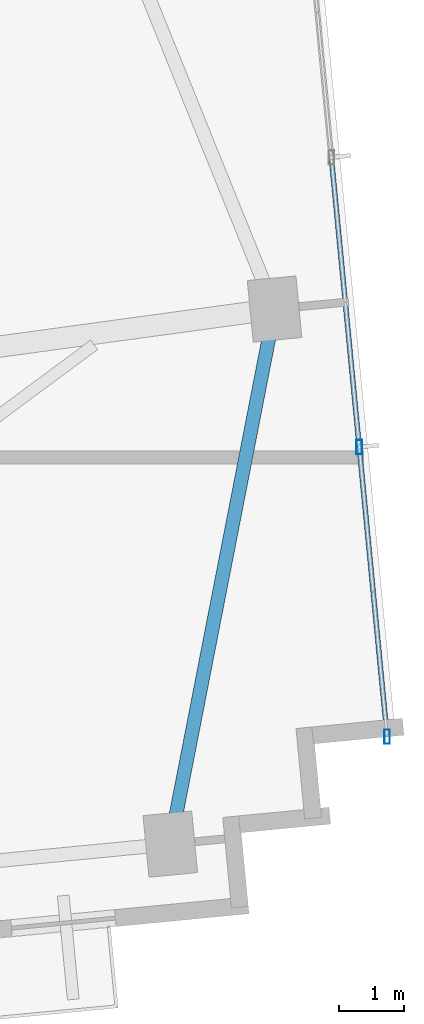
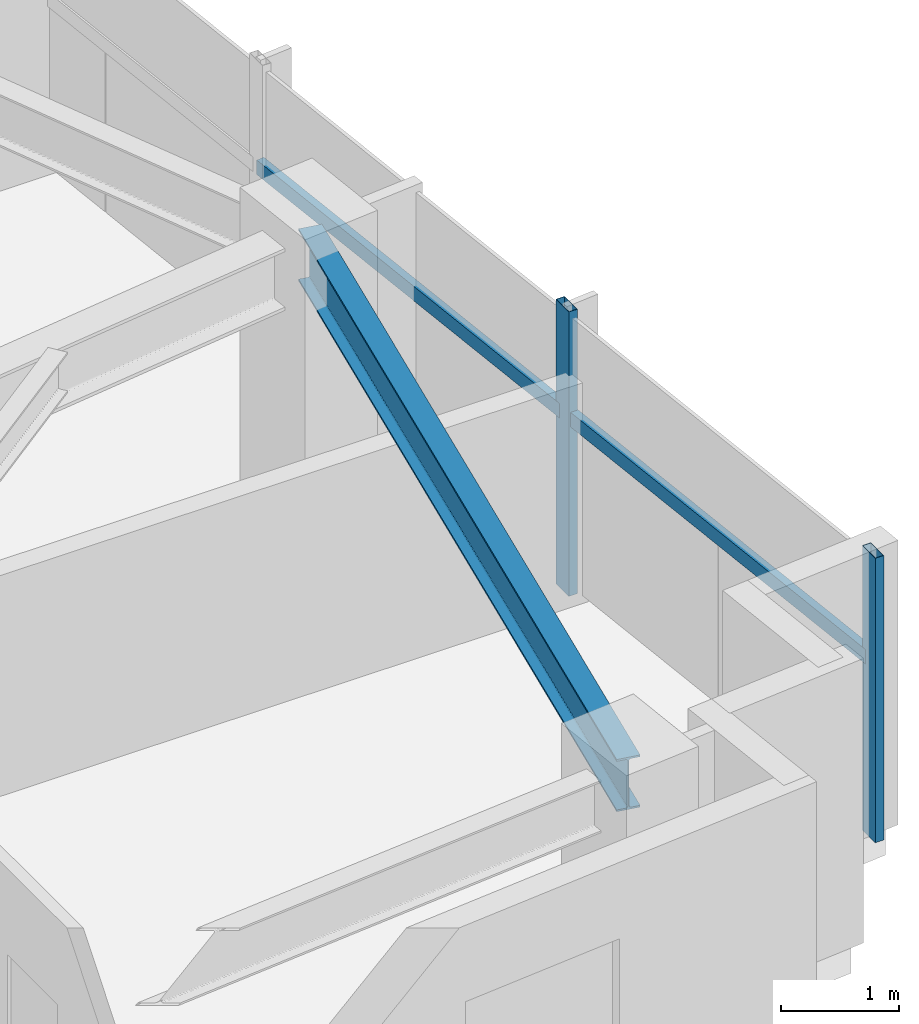
# One storey, part 10 of 18: 4 members, 1 beam, 1 element without a shape of its own.
"""IFC4 building model written with IfcOpenShell, lengths in metres."""

import ifcopenshell
import ifcopenshell.guid

model = None  # the IFC model being written
_history = None  # IfcOwnerHistory: only IFC2X3 demands one
_inside = {}  # id of a spatial element -> (the spatial element, [elements in it])
_under = {}  # id of a project, library or spatial element -> (it, [spatial elements below it])
_declared = {}  # id of a project -> (the project, [libraries it declares])
_typed = {}  # id of a type object -> (the type object, [elements of that type])
_made_of = {}  # id of a material, layer set ... -> (it, [elements and type objects made of it])


def new_model(schema):
    """Start an empty IFC model of exactly this schema.

    Asked for "IFC4X3", IfcOpenShell would pick the latest addendum, in which some entities
    have other attributes; the version numbers below select the first issue.
    IFC2X3 requires an IfcOwnerHistory on every rooted entity: one is made here for all.
    """
    global model, _history
    if schema == "IFC4X3":
        model = ifcopenshell.file(schema_version=(4, 3, 0, 0))
    else:
        model = ifcopenshell.file(schema=schema)
    _inside.clear()
    _under.clear()
    _declared.clear()
    _typed.clear()
    _made_of.clear()
    _history = None
    if model.schema == "IFC2X3":
        org = make("IfcOrganization", Name="unknown")
        user = make(
            "IfcPersonAndOrganization",
            ThePerson=make("IfcPerson", FamilyName="unknown"),
            TheOrganization=org,
        )
        app = make(
            "IfcApplication",
            ApplicationDeveloper=org,
            Version="unknown",
            ApplicationFullName="unknown",
            ApplicationIdentifier="unknown",
        )
        _history = make(
            "IfcOwnerHistory",
            OwningUser=user,
            OwningApplication=app,
            ChangeAction="ADDED",
            CreationDate=0,
        )
    return model


def make(cls, **values):
    """One entity of the class cls with the attributes given. An attribute that is None is left unset."""
    return model.create_entity(
        cls, **{name: value for name, value in values.items() if value is not None}
    )


def rooted(cls, **values):
    """An entity with a GlobalId (a new one), such as an element, a storey or a relation."""
    return make(cls, GlobalId=ifcopenshell.guid.new(), OwnerHistory=_history, **values)


def si_unit(unit_type, name, prefix=None):
    """IfcSIUnit, for example si_unit("LENGTHUNIT", "METRE", prefix="MILLI")."""
    return make("IfcSIUnit", UnitType=unit_type, Prefix=prefix, Name=name)


def assignment(units):
    """IfcUnitAssignment: the units of a project."""
    return None if units is None else make("IfcUnitAssignment", Units=units)


def point(xyz):
    """IfcCartesianPoint."""
    return None if xyz is None else make("IfcCartesianPoint", Coordinates=xyz)


def direction(xyz):
    """IfcDirection."""
    return None if xyz is None else make("IfcDirection", DirectionRatios=xyz)


def frame(location, z_axis=None, x_axis=None):
    """IfcAxis2Placement3D, a coordinate frame: its origin and axes. An axis left out is left unset."""
    return make(
        "IfcAxis2Placement3D",
        Location=point(location),
        Axis=direction(z_axis),
        RefDirection=direction(x_axis),
    )


def frame_2d(location, x_axis=None):
    """IfcAxis2Placement2D, a coordinate frame in the plane: its origin and x axis."""
    return make(
        "IfcAxis2Placement2D", Location=point(location), RefDirection=direction(x_axis)
    )


def origin():
    """The frame at (0, 0, 0) with its axes left unset."""
    return frame((0.0, 0.0, 0.0))


def origin_2d():
    """The frame at (0, 0) in the plane with its x axis left unset."""
    return frame_2d((0.0, 0.0))


def place(relative_to, where):
    """IfcLocalPlacement: puts the frame where relative to a parent placement (None: the world)."""
    return make(
        "IfcLocalPlacement", PlacementRelTo=relative_to, RelativePlacement=where
    )


def context(
    kind, dimensions, precision=None, world=None, true_north=None, identifier=None
):
    """IfcGeometricRepresentationContext, for example the 3D "Model" context."""
    return make(
        "IfcGeometricRepresentationContext",
        ContextIdentifier=identifier,
        ContextType=kind,
        CoordinateSpaceDimension=dimensions,
        Precision=precision,
        WorldCoordinateSystem=world,
        TrueNorth=true_north,
    )


def subcontext(parent, identifier, kind, view, scale=None):
    """IfcGeometricRepresentationSubContext, for example "Body" below "Model"."""
    return make(
        "IfcGeometricRepresentationSubContext",
        ContextIdentifier=identifier,
        ContextType=kind,
        ParentContext=parent,
        TargetScale=scale,
        TargetView=view,
    )


def project(units=None, contexts=None):
    """IfcProject with its units and contexts."""
    return rooted(
        "IfcProject",
        Name="project",
        RepresentationContexts=contexts,
        UnitsInContext=assignment(units),
    )


def spatial(cls, under=None, at=None, **own):
    """A site, building, storey or space (cls), placed at a placement, below another one or the project."""
    s = rooted(cls, ObjectPlacement=at, **own)
    if under is not None:
        _under.setdefault(under.id(), (under, []))[1].append(s)
    return s


def profile(cls, at=None, kind="AREA", **sizes):
    """A parametric profile (cls). Its sizes go by their IFC names, for example OverallWidth=200.0."""
    return make(cls, ProfileType=kind, Position=at, **sizes)


def hollow_rectangle(**sizes):
    """IfcRectangleHollowProfileDef."""
    return profile("IfcRectangleHollowProfileDef", **sizes)


def i_section(**sizes):
    """IfcIShapeProfileDef."""
    return profile("IfcIShapeProfileDef", **sizes)


def extrude(swept, where, along, depth):
    """IfcExtrudedAreaSolid: the profile swept, set in the frame where, extruded along a direction by depth."""
    return make(
        "IfcExtrudedAreaSolid",
        SweptArea=swept,
        Position=where,
        ExtrudedDirection=direction(along),
        Depth=depth,
    )


def shape(context_of_items, identifier, shape_type, items):
    """IfcShapeRepresentation: the items that make up one representation, for example the "Body"."""
    return make(
        "IfcShapeRepresentation",
        ContextOfItems=context_of_items,
        RepresentationIdentifier=identifier,
        RepresentationType=shape_type,
        Items=items,
    )


def source(mapping_origin, context_of_items, identifier, shape_type, items):
    """IfcRepresentationMap: a shape defined once, which mapped items show again and again."""
    return make(
        "IfcRepresentationMap",
        MappingOrigin=mapping_origin,
        MappedRepresentation=shape(context_of_items, identifier, shape_type, items),
    )


def transform(
    local_origin,
    x_axis=None,
    y_axis=None,
    z_axis=None,
    scale=None,
    scale2=None,
    scale3=None,
    uniform=True,
):
    """IfcCartesianTransformationOperator3D, or its non-uniform kind. x_axis, y_axis, z_axis: its Axis1, 2, 3."""
    if uniform:
        return make(
            "IfcCartesianTransformationOperator3D",
            Axis1=direction(x_axis),
            Axis2=direction(y_axis),
            LocalOrigin=point(local_origin),
            Scale=scale,
            Axis3=direction(z_axis),
        )
    return make(
        "IfcCartesianTransformationOperator3DnonUniform",
        Axis1=direction(x_axis),
        Axis2=direction(y_axis),
        LocalOrigin=point(local_origin),
        Scale=scale,
        Axis3=direction(z_axis),
        Scale2=scale2,
        Scale3=scale3,
    )


def mapped(mapping_source, mapping_target):
    """IfcMappedItem: shows the shape of a source again, moved by a transform."""
    return make(
        "IfcMappedItem", MappingSource=mapping_source, MappingTarget=mapping_target
    )


def material(Name=None, Category=None):
    """IfcMaterial."""
    return make("IfcMaterial", Name=Name, Category=Category)


def material_profile(
    of_material, cross_section, Name=None, Category=None, Priority=None
):
    """IfcMaterialProfile: a cross section and its material."""
    return make(
        "IfcMaterialProfile",
        Name=Name,
        Material=of_material,
        Profile=cross_section,
        Priority=Priority,
        Category=Category,
    )


def profile_set(profiles, Name=None, composite=None):
    """IfcMaterialProfileSet."""
    return make(
        "IfcMaterialProfileSet",
        Name=Name,
        MaterialProfiles=profiles,
        CompositeProfile=composite,
    )


def made_of(thing, what):
    """Note that an element or type object is made of a material, layer set ...; save() writes the relation."""
    if what is not None:
        _made_of.setdefault(what.id(), (what, []))[1].append(thing)
    return thing


def type_object(cls, material=None, **own):
    """A type object (cls), such as IfcWallType, which elements share."""
    return made_of(rooted(cls, **own), material)


def type_shapes(of_type, sources):
    """Give a type object the sources (RepresentationMaps) that its elements show as mapped items."""
    of_type.RepresentationMaps = sources


def element(
    cls,
    number,
    at=None,
    inside=None,
    cuts=None,
    type_object=None,
    material=None,
    context=None,
    identifier="Body",
    shape_type=None,
    held_by="IfcProductDefinitionShape",
    body=None,
    shapes=None,
    **own,
):
    """One element of the class cls, such as IfcWall. Its Tag is "e" and its number.

    at: its placement. inside: the storey or other place that contains it. cuts: it is an
    opening in that element (IfcRelVoidsElement). A single representation is given by context,
    identifier, shape_type and body (its items); several are given by shapes. held_by: the class
    of the entity that holds the representations. save() writes the other relations.
    """
    e = rooted(cls, Tag="e%d" % number, ObjectPlacement=at, **own)
    if body is not None:
        shapes = [shape(context, identifier, shape_type, body)]
    if shapes is not None:
        e.Representation = make(held_by, Representations=shapes)
    if inside is not None:
        _inside.setdefault(inside.id(), (inside, []))[1].append(e)
    if cuts is not None:
        rooted(
            "IfcRelVoidsElement", RelatingBuildingElement=cuts, RelatedOpeningElement=e
        )
    if type_object is not None:
        _typed.setdefault(type_object.id(), (type_object, []))[1].append(e)
    return made_of(e, material)


def aggregate(whole, parts):
    """IfcRelAggregates: a whole, such as a stair, and the parts it consists of."""
    return rooted("IfcRelAggregates", RelatingObject=whole, RelatedObjects=parts)


def save(model, path):
    """Write the relations noted so far, then the file.

    IfcRelAggregates (storeys below a building ...), IfcRelContainedInSpatialStructure (elements
    in a storey), IfcRelDefinesByType, IfcRelAssociatesMaterial and IfcRelDeclares: one each for
    every whole, place, type object, material and project.
    """
    for whole, parts in _under.values():
        aggregate(whole, parts)
    for where, things in _inside.values():
        rooted(
            "IfcRelContainedInSpatialStructure",
            RelatedElements=things,
            RelatingStructure=where,
        )
    for kind, things in _typed.values():
        rooted("IfcRelDefinesByType", RelatedObjects=things, RelatingType=kind)
    for what, things in _made_of.values():
        rooted("IfcRelAssociatesMaterial", RelatedObjects=things, RelatingMaterial=what)
    for by, libraries in _declared.values():
        rooted("IfcRelDeclares", RelatingContext=by, RelatedDefinitions=libraries)
    model.write(path)


model = new_model("IFC4")

# Units and contexts
model_context = context("Model", 3, precision=1e-05, world=origin(), true_north=direction((0.0, 1.0)))
body_context = subcontext(model_context, "Body", "Model", "MODEL_VIEW")
ifc_project = project(units=[si_unit("LENGTHUNIT", "METRE"), si_unit("AREAUNIT", "SQUARE_METRE"), si_unit("VOLUMEUNIT", "CUBIC_METRE"), si_unit("PLANEANGLEUNIT", "RADIAN"), si_unit("MASSUNIT", "GRAM", prefix="KILO")], contexts=[model_context])

# Site, building, storey
site_placement = place(None, origin())
site = spatial("IfcSite", under=ifc_project, at=site_placement, CompositionType="ELEMENT")
building_placement = place(site_placement, origin())
building = spatial("IfcBuilding", under=site, at=building_placement, Name="Astriad Promenade Condominiums", CompositionType="ELEMENT")
storey_placement = place(building_placement, frame((0.0, 0.0, 185.800048828125)))
storey = spatial("IfcBuildingStorey", under=building, at=storey_placement, Name="L53", CompositionType="ELEMENT", Elevation=185.800048828125)

# Beam
ifc_material_1 = material(Name="Steel ASTM A992 Grade 50", Category="steel")
ifc_material_profile_1 = material_profile(ifc_material_1, i_section(OverallWidth=0.210693359375, OverallDepth=0.53955078125, WebThickness=0.01171875, FlangeThickness=0.018798828125, FilletRadius=0.0166015625, at=origin_2d()), Name="W21X73")
ifc_profile_set_1 = profile_set([ifc_material_profile_1], Name="Steel ASTM A992 Grade 50")
beam_type = type_object("IfcBeamType", Name="STEEL SPANDREL BEAM W21X73", PredefinedType="SPANDREL", material=ifc_profile_set_1)
shared_shape_1 = source(origin(), body_context, "Body", "SweptSolid", [
    extrude(i_section(OverallWidth=0.210693359375, OverallDepth=0.53955078125, WebThickness=0.01171875, FlangeThickness=0.018798828125, FilletRadius=0.0166015625, at=origin_2d()), origin(), (0.0, 0.0, 1.0), 8.28564453125),
])
type_shapes(beam_type, [shared_shape_1])
beam_placement = place(storey_placement, frame((61.775634765625, 11.6552734375, 2.670166015625), z_axis=(0.191291582099, 0.981533254973, 0.0), x_axis=(-0.981533254973, 0.191291582099, 0.0)))
element("IfcBeam", 1, at=beam_placement, inside=storey, type_object=beam_type, Name="Perimeter Spandrel Beam SP-E1-L53", PredefinedType="SPANDREL", context=body_context, shape_type="MappedRepresentation", body=[
    mapped(shared_shape_1, transform((0.0, 0.0, 0.0), scale=1.0)),
])

# Curtain wall, members
ifc_material_2 = material(Name="Anodised aluminium Black Dark Glass Unitised", Category="aluminium")
curtain_wall_type = type_object("IfcCurtainWallType", Name="CW-B34-DARK", PredefinedType="USERDEFINED", material=ifc_material_2)
curtain_wall_placement = place(storey_placement, origin())
curtain_wall = element("IfcCurtainWall", 2, at=curtain_wall_placement, inside=storey, type_object=curtain_wall_type, Name="CW-L53-E", ObjectType="UNITISED_CURTAIN_WALL", PredefinedType="USERDEFINED")
ifc_material_3 = material(Name="Anodised aluminium 6063-T6 Black", Category="aluminium")
ifc_material_profile_2 = material_profile(ifc_material_3, hollow_rectangle(XDim=0.0849609375, YDim=0.219970703125, WallThickness=0.0048828125, at=origin_2d()), Name="ALU-MUL-85X220")
ifc_profile_set_2 = profile_set([ifc_material_profile_2], Name="Anodised aluminium 6063-T6 Black")
member_type_1 = type_object("IfcMemberType", Name="MUL-ALU-MUL-85X220", PredefinedType="MULLION", material=ifc_profile_set_2)
shared_shape_2 = source(origin(), body_context, "Body", "SweptSolid", [
    extrude(hollow_rectangle(XDim=0.0849609375, YDim=0.219970703125, WallThickness=0.0048828125, at=origin_2d()), origin(), (0.0, 0.0, 1.0), 2.93994140625),
])
type_shapes(member_type_1, [shared_shape_2])
member_1_placement = place(storey_placement, frame((64.667236328125, 17.70849609375, 0.0), z_axis=(0.0, 0.0, 1.0), x_axis=(1.0, 0.0, 0.0)))
member_1 = element("IfcMember", 3, at=member_1_placement, type_object=member_type_1, Name="CW-L53-E-MUL-02", PredefinedType="MULLION", context=body_context, shape_type="MappedRepresentation", body=[
    mapped(shared_shape_2, transform((0.0, 0.0, 0.0), scale=1.0)),
])
member_2_placement = place(storey_placement, frame((65.095458984375, 13.262451171875, 0.0), z_axis=(0.0, 0.0, 1.0), x_axis=(1.0, 0.0, 0.0)))
member_2 = element("IfcMember", 4, at=member_2_placement, type_object=member_type_1, Name="CW-L53-E-MUL-03", PredefinedType="MULLION", context=body_context, shape_type="MappedRepresentation", body=[
    mapped(shared_shape_2, transform((0.0, 0.0, 0.0), scale=1.0)),
])
ifc_material_profile_3 = material_profile(ifc_material_3, hollow_rectangle(XDim=0.074951171875, YDim=0.14990234375, WallThickness=0.004150390625, at=origin_2d()), Name="ALU-TRN-75X150")
ifc_profile_set_3 = profile_set([ifc_material_profile_3], Name="Anodised aluminium 6063-T6 Black")
member_type_2 = type_object("IfcMemberType", Name="TRN-ALU-TRN-75X150", PredefinedType="USERDEFINED", material=ifc_profile_set_3)
shared_shape_3 = source(origin(), body_context, "Body", "SweptSolid", [
    extrude(hollow_rectangle(XDim=0.074951171875, YDim=0.14990234375, WallThickness=0.004150390625, at=origin_2d()), origin(), (0.0, 0.0, 1.0), 4.466552734375),
])
type_shapes(member_type_2, [shared_shape_3])
member_3_placement = place(storey_placement, frame((64.239013671875, 22.154541015625, 1.82275390625), z_axis=(0.095871755514, -0.995393694221, 0.0), x_axis=(0.995393694221, 0.095871755514, 0.0)))
member_3 = element("IfcMember", 5, at=member_3_placement, type_object=member_type_2, Name="CW-L53-E-TRN-01-0", ObjectType="TRANSOM", PredefinedType="USERDEFINED", context=body_context, shape_type="MappedRepresentation", body=[
    mapped(shared_shape_3, transform((0.0, 0.0, 0.0), scale=1.0)),
])
member_4_placement = place(storey_placement, frame((64.667236328125, 17.70849609375, 1.82275390625), z_axis=(0.095871755514, -0.995393694221, 0.0), x_axis=(0.995393694221, 0.095871755514, 0.0)))
member_4 = element("IfcMember", 6, at=member_4_placement, type_object=member_type_2, Name="CW-L53-E-TRN-02-0", ObjectType="TRANSOM", PredefinedType="USERDEFINED", context=body_context, shape_type="MappedRepresentation", body=[
    mapped(shared_shape_3, transform((0.0, 0.0, 0.0), scale=1.0)),
])
aggregate(curtain_wall, [member_1, member_2, member_3, member_4])

save(model, "model.ifc")
